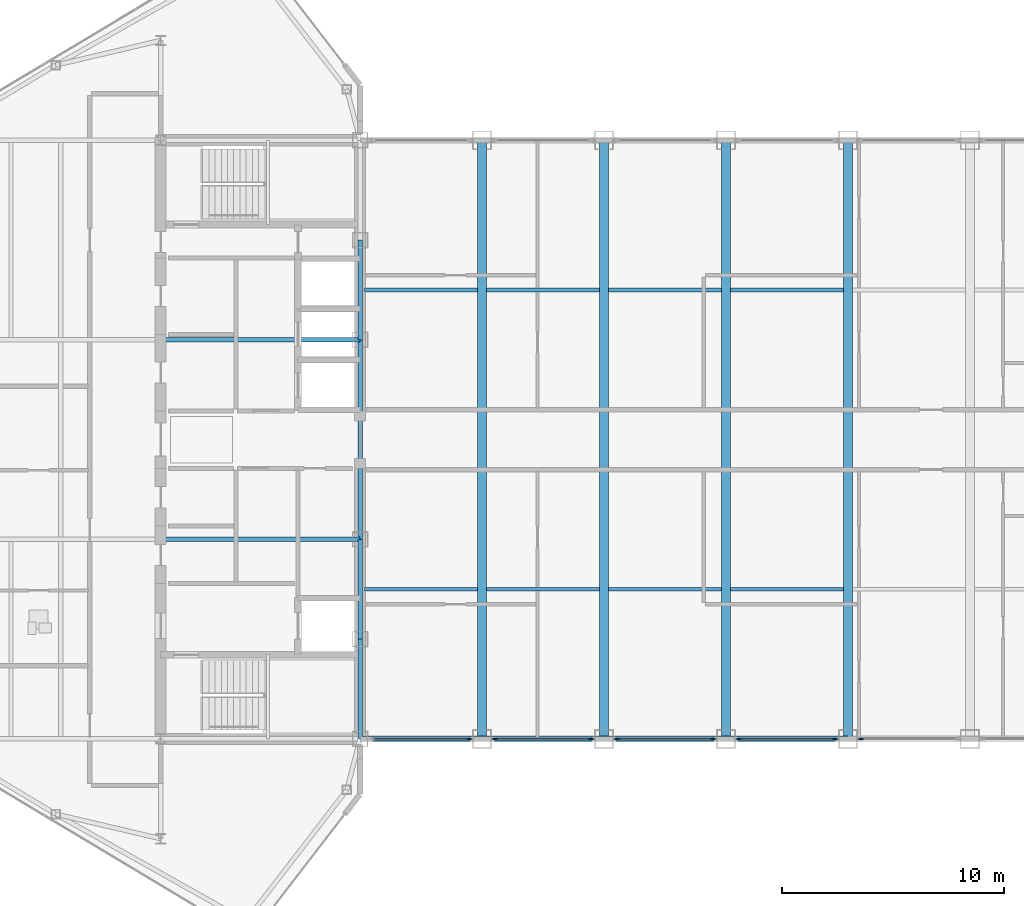
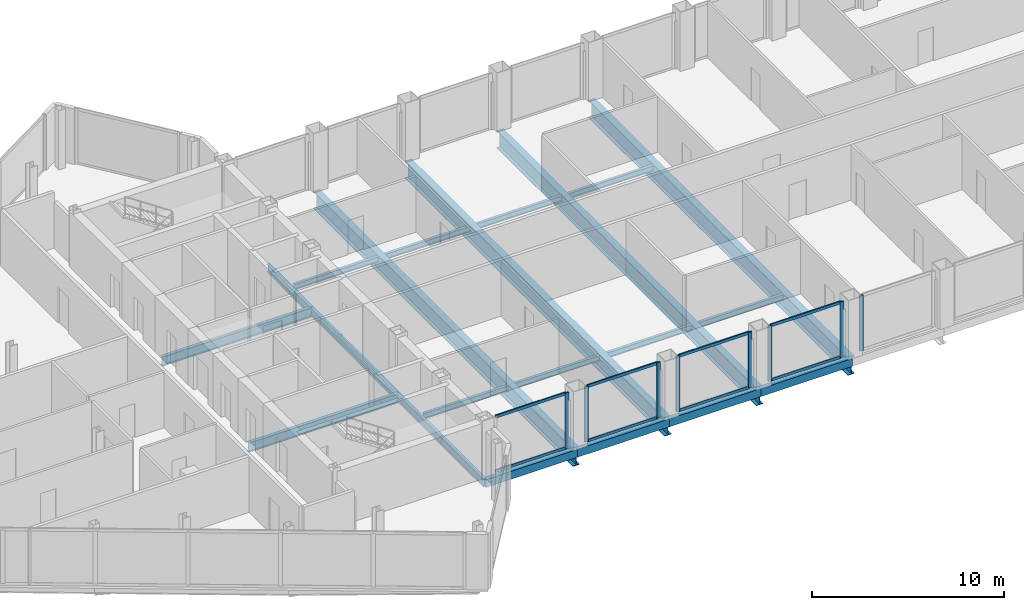
# One storey, part 10 of 29: 22 beams, 16 members, 5 elements without a shape of their own.
"""IFC4 building model written with IfcOpenShell, lengths in metres."""

import ifcopenshell
import ifcopenshell.guid

model = None  # the IFC model being written
_history = None  # IfcOwnerHistory: only IFC2X3 demands one
_inside = {}  # id of a spatial element -> (the spatial element, [elements in it])
_under = {}  # id of a project, library or spatial element -> (it, [spatial elements below it])
_declared = {}  # id of a project -> (the project, [libraries it declares])
_typed = {}  # id of a type object -> (the type object, [elements of that type])
_made_of = {}  # id of a material, layer set ... -> (it, [elements and type objects made of it])


def new_model(schema):
    """Start an empty IFC model of exactly this schema.

    Asked for "IFC4X3", IfcOpenShell would pick the latest addendum, in which some entities
    have other attributes; the version numbers below select the first issue.
    IFC2X3 requires an IfcOwnerHistory on every rooted entity: one is made here for all.
    """
    global model, _history
    if schema == "IFC4X3":
        model = ifcopenshell.file(schema_version=(4, 3, 0, 0))
    else:
        model = ifcopenshell.file(schema=schema)
    _inside.clear()
    _under.clear()
    _declared.clear()
    _typed.clear()
    _made_of.clear()
    _history = None
    if model.schema == "IFC2X3":
        org = make("IfcOrganization", Name="unknown")
        user = make(
            "IfcPersonAndOrganization",
            ThePerson=make("IfcPerson", FamilyName="unknown"),
            TheOrganization=org,
        )
        app = make(
            "IfcApplication",
            ApplicationDeveloper=org,
            Version="unknown",
            ApplicationFullName="unknown",
            ApplicationIdentifier="unknown",
        )
        _history = make(
            "IfcOwnerHistory",
            OwningUser=user,
            OwningApplication=app,
            ChangeAction="ADDED",
            CreationDate=0,
        )
    return model


def make(cls, **values):
    """One entity of the class cls with the attributes given. An attribute that is None is left unset."""
    return model.create_entity(
        cls, **{name: value for name, value in values.items() if value is not None}
    )


def rooted(cls, **values):
    """An entity with a GlobalId (a new one), such as an element, a storey or a relation."""
    return make(cls, GlobalId=ifcopenshell.guid.new(), OwnerHistory=_history, **values)


def si_unit(unit_type, name, prefix=None):
    """IfcSIUnit, for example si_unit("LENGTHUNIT", "METRE", prefix="MILLI")."""
    return make("IfcSIUnit", UnitType=unit_type, Prefix=prefix, Name=name)


def assignment(units):
    """IfcUnitAssignment: the units of a project."""
    return None if units is None else make("IfcUnitAssignment", Units=units)


def point(xyz):
    """IfcCartesianPoint."""
    return None if xyz is None else make("IfcCartesianPoint", Coordinates=xyz)


def direction(xyz):
    """IfcDirection."""
    return None if xyz is None else make("IfcDirection", DirectionRatios=xyz)


def frame(location, z_axis=None, x_axis=None):
    """IfcAxis2Placement3D, a coordinate frame: its origin and axes. An axis left out is left unset."""
    return make(
        "IfcAxis2Placement3D",
        Location=point(location),
        Axis=direction(z_axis),
        RefDirection=direction(x_axis),
    )


def frame_2d(location, x_axis=None):
    """IfcAxis2Placement2D, a coordinate frame in the plane: its origin and x axis."""
    return make(
        "IfcAxis2Placement2D", Location=point(location), RefDirection=direction(x_axis)
    )


def origin():
    """The frame at (0, 0, 0) with its axes left unset."""
    return frame((0.0, 0.0, 0.0))


def origin_2d():
    """The frame at (0, 0) in the plane with its x axis left unset."""
    return frame_2d((0.0, 0.0))


def place(relative_to, where):
    """IfcLocalPlacement: puts the frame where relative to a parent placement (None: the world)."""
    return make(
        "IfcLocalPlacement", PlacementRelTo=relative_to, RelativePlacement=where
    )


def context(
    kind, dimensions, precision=None, world=None, true_north=None, identifier=None
):
    """IfcGeometricRepresentationContext, for example the 3D "Model" context."""
    return make(
        "IfcGeometricRepresentationContext",
        ContextIdentifier=identifier,
        ContextType=kind,
        CoordinateSpaceDimension=dimensions,
        Precision=precision,
        WorldCoordinateSystem=world,
        TrueNorth=true_north,
    )


def subcontext(parent, identifier, kind, view, scale=None):
    """IfcGeometricRepresentationSubContext, for example "Body" below "Model"."""
    return make(
        "IfcGeometricRepresentationSubContext",
        ContextIdentifier=identifier,
        ContextType=kind,
        ParentContext=parent,
        TargetScale=scale,
        TargetView=view,
    )


def project(units=None, contexts=None):
    """IfcProject with its units and contexts."""
    return rooted(
        "IfcProject",
        Name="project",
        RepresentationContexts=contexts,
        UnitsInContext=assignment(units),
    )


def spatial(cls, under=None, at=None, **own):
    """A site, building, storey or space (cls), placed at a placement, below another one or the project."""
    s = rooted(cls, ObjectPlacement=at, **own)
    if under is not None:
        _under.setdefault(under.id(), (under, []))[1].append(s)
    return s


def profile(cls, at=None, kind="AREA", **sizes):
    """A parametric profile (cls). Its sizes go by their IFC names, for example OverallWidth=200.0."""
    return make(cls, ProfileType=kind, Position=at, **sizes)


def rectangle(**sizes):
    """IfcRectangleProfileDef."""
    return profile("IfcRectangleProfileDef", **sizes)


def hollow_rectangle(**sizes):
    """IfcRectangleHollowProfileDef."""
    return profile("IfcRectangleHollowProfileDef", **sizes)


def i_section(**sizes):
    """IfcIShapeProfileDef."""
    return profile("IfcIShapeProfileDef", **sizes)


def extrude(swept, where, along, depth):
    """IfcExtrudedAreaSolid: the profile swept, set in the frame where, extruded along a direction by depth."""
    return make(
        "IfcExtrudedAreaSolid",
        SweptArea=swept,
        Position=where,
        ExtrudedDirection=direction(along),
        Depth=depth,
    )


def shape(context_of_items, identifier, shape_type, items):
    """IfcShapeRepresentation: the items that make up one representation, for example the "Body"."""
    return make(
        "IfcShapeRepresentation",
        ContextOfItems=context_of_items,
        RepresentationIdentifier=identifier,
        RepresentationType=shape_type,
        Items=items,
    )


def source(mapping_origin, context_of_items, identifier, shape_type, items):
    """IfcRepresentationMap: a shape defined once, which mapped items show again and again."""
    return make(
        "IfcRepresentationMap",
        MappingOrigin=mapping_origin,
        MappedRepresentation=shape(context_of_items, identifier, shape_type, items),
    )


def transform(
    local_origin,
    x_axis=None,
    y_axis=None,
    z_axis=None,
    scale=None,
    scale2=None,
    scale3=None,
    uniform=True,
):
    """IfcCartesianTransformationOperator3D, or its non-uniform kind. x_axis, y_axis, z_axis: its Axis1, 2, 3."""
    if uniform:
        return make(
            "IfcCartesianTransformationOperator3D",
            Axis1=direction(x_axis),
            Axis2=direction(y_axis),
            LocalOrigin=point(local_origin),
            Scale=scale,
            Axis3=direction(z_axis),
        )
    return make(
        "IfcCartesianTransformationOperator3DnonUniform",
        Axis1=direction(x_axis),
        Axis2=direction(y_axis),
        LocalOrigin=point(local_origin),
        Scale=scale,
        Axis3=direction(z_axis),
        Scale2=scale2,
        Scale3=scale3,
    )


def mapped(mapping_source, mapping_target):
    """IfcMappedItem: shows the shape of a source again, moved by a transform."""
    return make(
        "IfcMappedItem", MappingSource=mapping_source, MappingTarget=mapping_target
    )


def material(Name=None, Category=None):
    """IfcMaterial."""
    return make("IfcMaterial", Name=Name, Category=Category)


def layer(
    of_material, thickness, ventilated=None, Name=None, Category=None, Priority=None
):
    """IfcMaterialLayer: one layer of a wall or slab, of a material (None: an air gap)."""
    return make(
        "IfcMaterialLayer",
        Material=of_material,
        LayerThickness=thickness,
        IsVentilated=ventilated,
        Name=Name,
        Category=Category,
        Priority=Priority,
    )


def layer_set(layers, Name=None):
    """IfcMaterialLayerSet."""
    return make("IfcMaterialLayerSet", MaterialLayers=layers, LayerSetName=Name)


def material_profile(
    of_material, cross_section, Name=None, Category=None, Priority=None
):
    """IfcMaterialProfile: a cross section and its material."""
    return make(
        "IfcMaterialProfile",
        Name=Name,
        Material=of_material,
        Profile=cross_section,
        Priority=Priority,
        Category=Category,
    )


def profile_set(profiles, Name=None, composite=None):
    """IfcMaterialProfileSet."""
    return make(
        "IfcMaterialProfileSet",
        Name=Name,
        MaterialProfiles=profiles,
        CompositeProfile=composite,
    )


def made_of(thing, what):
    """Note that an element or type object is made of a material, layer set ...; save() writes the relation."""
    if what is not None:
        _made_of.setdefault(what.id(), (what, []))[1].append(thing)
    return thing


def type_object(cls, material=None, **own):
    """A type object (cls), such as IfcWallType, which elements share."""
    return made_of(rooted(cls, **own), material)


def type_shapes(of_type, sources):
    """Give a type object the sources (RepresentationMaps) that its elements show as mapped items."""
    of_type.RepresentationMaps = sources


def element(
    cls,
    number,
    at=None,
    inside=None,
    cuts=None,
    type_object=None,
    material=None,
    context=None,
    identifier="Body",
    shape_type=None,
    held_by="IfcProductDefinitionShape",
    body=None,
    shapes=None,
    **own,
):
    """One element of the class cls, such as IfcWall. Its Tag is "e" and its number.

    at: its placement. inside: the storey or other place that contains it. cuts: it is an
    opening in that element (IfcRelVoidsElement). A single representation is given by context,
    identifier, shape_type and body (its items); several are given by shapes. held_by: the class
    of the entity that holds the representations. save() writes the other relations.
    """
    e = rooted(cls, Tag="e%d" % number, ObjectPlacement=at, **own)
    if body is not None:
        shapes = [shape(context, identifier, shape_type, body)]
    if shapes is not None:
        e.Representation = make(held_by, Representations=shapes)
    if inside is not None:
        _inside.setdefault(inside.id(), (inside, []))[1].append(e)
    if cuts is not None:
        rooted(
            "IfcRelVoidsElement", RelatingBuildingElement=cuts, RelatedOpeningElement=e
        )
    if type_object is not None:
        _typed.setdefault(type_object.id(), (type_object, []))[1].append(e)
    return made_of(e, material)


def aggregate(whole, parts):
    """IfcRelAggregates: a whole, such as a stair, and the parts it consists of."""
    return rooted("IfcRelAggregates", RelatingObject=whole, RelatedObjects=parts)


def save(model, path):
    """Write the relations noted so far, then the file.

    IfcRelAggregates (storeys below a building ...), IfcRelContainedInSpatialStructure (elements
    in a storey), IfcRelDefinesByType, IfcRelAssociatesMaterial and IfcRelDeclares: one each for
    every whole, place, type object, material and project.
    """
    for whole, parts in _under.values():
        aggregate(whole, parts)
    for where, things in _inside.values():
        rooted(
            "IfcRelContainedInSpatialStructure",
            RelatedElements=things,
            RelatingStructure=where,
        )
    for kind, things in _typed.values():
        rooted("IfcRelDefinesByType", RelatedObjects=things, RelatingType=kind)
    for what, things in _made_of.values():
        rooted("IfcRelAssociatesMaterial", RelatedObjects=things, RelatingMaterial=what)
    for by, libraries in _declared.values():
        rooted("IfcRelDeclares", RelatingContext=by, RelatedDefinitions=libraries)
    model.write(path)


model = new_model("IFC4")

# Units and contexts
model_context = context("Model", 3, precision=1e-05, world=origin(), true_north=direction((0.0, 1.0)))
body_context = subcontext(model_context, "Body", "Model", "MODEL_VIEW")
ifc_project = project(units=[si_unit("LENGTHUNIT", "METRE"), si_unit("AREAUNIT", "SQUARE_METRE"), si_unit("VOLUMEUNIT", "CUBIC_METRE"), si_unit("PLANEANGLEUNIT", "RADIAN"), si_unit("MASSUNIT", "GRAM", prefix="KILO")], contexts=[model_context])

# Site, building, storey
site_placement = place(None, origin())
site = spatial("IfcSite", under=ifc_project, at=site_placement, CompositionType="ELEMENT")
building_placement = place(site_placement, origin())
building = spatial("IfcBuilding", under=site, at=building_placement, Name="Seokmaru Belvedere", CompositionType="ELEMENT")
storey_placement = place(building_placement, frame((0.0, 0.0, 254.39990234375)))
storey = spatial("IfcBuildingStorey", under=building, at=storey_placement, Name="L67", CompositionType="ELEMENT", Elevation=254.39990234375)

# Beams
ifc_material_1 = material(Name="Steel SM355 (355 MPa)", Category="steel")
ifc_material_profile_1 = material_profile(ifc_material_1, i_section(OverallWidth=0.199951171875, OverallDepth=0.5, WebThickness=0.010009765625, FlangeThickness=0.01611328125, at=origin_2d()), Name="H-500x200x10x16")
ifc_profile_set_1 = profile_set([ifc_material_profile_1], Name="Steel SM355 (355 MPa)")
beam_type_1 = type_object("IfcBeamType", Name="Perimeter Spandrel Beam H-500", PredefinedType="SPANDREL", material=ifc_profile_set_1)
shared_shape_1 = source(origin(), body_context, "Body", "SweptSolid", [
    extrude(i_section(OverallWidth=0.199951171875, OverallDepth=0.5, WebThickness=0.010009765625, FlangeThickness=0.01611328125, at=origin_2d()), origin(), (0.0, 0.0, 1.0), 4.5),
])
for number, where, z_axis, x_axis, name in (
    (1, (-27.5, -13.5, -0.469970703125), (0.0, 1.0, 0.0), (-1.0, 0.0, 0.0), "L67 W Portal Spine Spandrel 1"),
    (2, (-27.5, -9.0, -0.469970703125), (0.0, 1.0, 0.0), (-1.0, 0.0, 0.0), "L67 W Portal Spine Spandrel 2"),
    (3, (-27.5, 4.5, -0.469970703125), (0.0, 1.0, 0.0), (-1.0, 0.0, 0.0), "L67 W Portal Spine Spandrel 4"),
):
    element("IfcBeam", number, at=place(storey_placement, frame(where, z_axis=z_axis, x_axis=x_axis)), inside=storey, type_object=beam_type_1, Name=name, PredefinedType="SPANDREL", context=body_context, shape_type="MappedRepresentation", body=[
        mapped(shared_shape_1, transform((0.0, 0.0, 0.0), scale=1.0)),
    ])
shared_shape_2 = source(origin(), body_context, "Body", "SweptSolid", [
    extrude(i_section(OverallWidth=0.199951171875, OverallDepth=0.5, WebThickness=0.010009765625, FlangeThickness=0.01611328125, at=origin_2d()), origin(), (0.0, 0.0, 1.0), 9.0),
])
type_shapes(beam_type_1, [shared_shape_1, shared_shape_2])
beam_placement = place(storey_placement, frame((-27.5, -4.5, -0.469970703125), z_axis=(0.0, 1.0, 0.0), x_axis=(-1.0, 0.0, 0.0)))
element("IfcBeam", 4, at=beam_placement, inside=storey, type_object=beam_type_1, Name="L67 W Portal Spine Spandrel 3", PredefinedType="SPANDREL", context=body_context, shape_type="MappedRepresentation", body=[
    mapped(shared_shape_2, transform((0.0, 0.0, 0.0), scale=1.0)),
])
ifc_material_profile_2 = material_profile(ifc_material_1, i_section(OverallWidth=0.199951171875, OverallDepth=0.60009765625, WebThickness=0.010986328125, FlangeThickness=0.01708984375, at=origin_2d()), Name="H-600x200x11x17")
ifc_profile_set_2 = profile_set([ifc_material_profile_2], Name="Steel SM355 (355 MPa)")
beam_type_2 = type_object("IfcBeamType", Name="Primary Floor Girder H-600", PredefinedType="BEAM", material=ifc_profile_set_2)
shared_shape_3 = source(origin(), body_context, "Body", "SweptSolid", [
    extrude(i_section(OverallWidth=0.199951171875, OverallDepth=0.60009765625, WebThickness=0.010986328125, FlangeThickness=0.01708984375, at=origin_2d()), origin(), (0.0, 0.0, 1.0), 9.0),
])
type_shapes(beam_type_2, [shared_shape_3])
for number, where, z_axis, x_axis, name in (
    (5, (-36.5, -4.5, -0.52001953125), (1.0, 0.0, 0.0), (0.0, 1.0, 0.0), "L67 W Core Tie Girder 2"),
    (6, (-36.5, 4.5, -0.52001953125), (1.0, 0.0, 0.0), (0.0, 1.0, 0.0), "L67 W Core Tie Girder 3"),
):
    element("IfcBeam", number, at=place(storey_placement, frame(where, z_axis=z_axis, x_axis=x_axis)), inside=storey, type_object=beam_type_2, Name=name, PredefinedType="BEAM", context=body_context, shape_type="MappedRepresentation", body=[
        mapped(shared_shape_3, transform((0.0, 0.0, 0.0), scale=1.0)),
    ])
ifc_material_profile_3 = material_profile(ifc_material_1, i_section(OverallWidth=0.39990234375, OverallDepth=1.10009765625, WebThickness=0.02001953125, FlangeThickness=0.033935546875, at=origin_2d()), Name="BH-1100x400x20x34")
ifc_profile_set_3 = profile_set([ifc_material_profile_3], Name="Steel SM355 (355 MPa)")
beam_type_3 = type_object("IfcBeamType", Name="Sky-Gate Transverse Girder BH-1100", PredefinedType="BEAM", material=ifc_profile_set_3)
shared_shape_4 = source(origin(), body_context, "Body", "SweptSolid", [
    extrude(i_section(OverallWidth=0.39990234375, OverallDepth=1.10009765625, WebThickness=0.02001953125, FlangeThickness=0.033935546875, at=origin_2d()), origin(), (0.0, 0.0, 1.0), 27.0),
])
type_shapes(beam_type_3, [shared_shape_4])
for number, where, z_axis, x_axis, name in (
    (7, (-22.0, -13.5, -0.77001953125), (0.0, 1.0, 0.0), (-1.0, 0.0, 0.0), "L67 Sky-Gate Transverse Girder 01"),
    (8, (-16.5, -13.5, -0.77001953125), (0.0, 1.0, 0.0), (-1.0, 0.0, 0.0), "L67 Sky-Gate Transverse Girder 02"),
    (9, (-11.0, -13.5, -0.77001953125), (0.0, 1.0, 0.0), (-1.0, 0.0, 0.0), "L67 Sky-Gate Transverse Girder 03"),
    (10, (-5.5, -13.5, -0.77001953125), (0.0, 1.0, 0.0), (-1.0, 0.0, 0.0), "L67 Sky-Gate Transverse Girder 04"),
):
    element("IfcBeam", number, at=place(storey_placement, frame(where, z_axis=z_axis, x_axis=x_axis)), inside=storey, type_object=beam_type_3, Name=name, PredefinedType="BEAM", context=body_context, shape_type="MappedRepresentation", body=[
        mapped(shared_shape_4, transform((0.0, 0.0, 0.0), scale=1.0)),
    ])
ifc_material_profile_4 = material_profile(ifc_material_1, i_section(OverallWidth=0.175048828125, OverallDepth=0.35009765625, WebThickness=0.007080078125, FlangeThickness=0.010986328125, at=origin_2d()), Name="H-350x175x7x11")
ifc_profile_set_4 = profile_set([ifc_material_profile_4], Name="Steel SM355 (355 MPa)")
beam_type_4 = type_object("IfcBeamType", Name="Secondary Floor Joist H-300", PredefinedType="JOIST", material=ifc_profile_set_4)
shared_shape_5 = source(origin(), body_context, "Body", "SweptSolid", [
    extrude(i_section(OverallWidth=0.175048828125, OverallDepth=0.35009765625, WebThickness=0.007080078125, FlangeThickness=0.010986328125, at=origin_2d()), origin(), (0.0, 0.0, 1.0), 5.08984375),
])
type_shapes(beam_type_4, [shared_shape_5])
for number, where, z_axis, x_axis, name in (
    (11, (-27.294921875, -6.75, -0.39501953125), (1.0, 0.0, 0.0), (0.0, 1.0, 0.0), "L67 Sky-Gate Secondary Joist S-01"),
    (12, (-21.794921875, -6.75, -0.39501953125), (1.0, 0.0, 0.0), (0.0, 1.0, 0.0), "L67 Sky-Gate Secondary Joist S-02"),
    (13, (-16.294921875, -6.75, -0.39501953125), (1.0, 0.0, 0.0), (0.0, 1.0, 0.0), "L67 Sky-Gate Secondary Joist S-03"),
    (14, (-10.794921875, -6.75, -0.39501953125), (1.0, 0.0, 0.0), (0.0, 1.0, 0.0), "L67 Sky-Gate Secondary Joist S-04"),
    (15, (-27.294921875, 6.75, -0.39501953125), (1.0, 0.0, 0.0), (0.0, 1.0, 0.0), "L67 Sky-Gate Secondary Joist N-01"),
    (16, (-21.794921875, 6.75, -0.39501953125), (1.0, 0.0, 0.0), (0.0, 1.0, 0.0), "L67 Sky-Gate Secondary Joist N-02"),
    (17, (-16.294921875, 6.75, -0.39501953125), (1.0, 0.0, 0.0), (0.0, 1.0, 0.0), "L67 Sky-Gate Secondary Joist N-03"),
    (18, (-10.794921875, 6.75, -0.39501953125), (1.0, 0.0, 0.0), (0.0, 1.0, 0.0), "L67 Sky-Gate Secondary Joist N-04"),
):
    element("IfcBeam", number, at=place(storey_placement, frame(where, z_axis=z_axis, x_axis=x_axis)), inside=storey, type_object=beam_type_4, Name=name, PredefinedType="JOIST", context=body_context, shape_type="MappedRepresentation", body=[
        mapped(shared_shape_5, transform((0.0, 0.0, 0.0), scale=1.0)),
    ])
ifc_material_profile_5 = material_profile(ifc_material_1, hollow_rectangle(XDim=0.25, YDim=0.5, WallThickness=0.013916015625, at=origin_2d()), Name="RHS-500x250x14")
ifc_profile_set_5 = profile_set([ifc_material_profile_5], Name="Steel SM355 (355 MPa)")
beam_type_5 = type_object("IfcBeamType", Name="Bridge Edge Spandrel RHS-500", PredefinedType="SPANDREL", material=ifc_profile_set_5)
shared_shape_6 = source(origin(), body_context, "Body", "SweptSolid", [
    extrude(hollow_rectangle(XDim=0.25, YDim=0.5, WallThickness=0.013916015625, at=origin_2d()), origin(), (0.0, 0.0, 1.0), 5.5),
])
type_shapes(beam_type_5, [shared_shape_6])
for number, where, z_axis, x_axis, name in (
    (19, (-27.5, -13.5, -0.469970703125), (1.0, 0.0, 0.0), (0.0, 1.0, 0.0), "L67 Sky-Gate Bridge Edge Girder S-01"),
    (20, (-22.0, -13.5, -0.469970703125), (1.0, 0.0, 0.0), (0.0, 1.0, 0.0), "L67 Sky-Gate Bridge Edge Girder S-02"),
    (21, (-16.5, -13.5, -0.469970703125), (1.0, 0.0, 0.0), (0.0, 1.0, 0.0), "L67 Sky-Gate Bridge Edge Girder S-03"),
    (22, (-11.0, -13.5, -0.469970703125), (1.0, 0.0, 0.0), (0.0, 1.0, 0.0), "L67 Sky-Gate Bridge Edge Girder S-04"),
):
    element("IfcBeam", number, at=place(storey_placement, frame(where, z_axis=z_axis, x_axis=x_axis)), inside=storey, type_object=beam_type_5, Name=name, PredefinedType="SPANDREL", context=body_context, shape_type="MappedRepresentation", body=[
        mapped(shared_shape_6, transform((0.0, 0.0, 0.0), scale=1.0)),
    ])

# Curtain wall, members
ifc_material_2 = material(Name="Bronze Triple Insulating Glass", Category="glass")
ifc_layer = layer(ifc_material_2, 0.219970703125)
ifc_layer_set = layer_set([ifc_layer], Name="Bronze Triple Insulating Glass")
curtain_wall_type = type_object("IfcCurtainWallType", Name="Sky-Gate Bridge Panorama Curtain Wall System CW-6", PredefinedType="NOTDEFINED", material=ifc_layer_set)
curtain_wall_1_placement = place(storey_placement, origin())
curtain_wall_1 = element("IfcCurtainWall", 23, at=curtain_wall_1_placement, inside=storey, type_object=curtain_wall_type, Name="L67 Curtain Wall BR_S01", PredefinedType="NOTDEFINED")
ifc_material_3 = material(Name="Anodised Bronze Aluminium", Category="aluminium")
ifc_material_profile_6 = material_profile(ifc_material_3, rectangle(XDim=0.074951171875, YDim=0.179931640625, at=origin_2d()), Name="CW-T-75x180")
ifc_profile_set_6 = profile_set([ifc_material_profile_6], Name="Anodised Bronze Aluminium")
member_type_1 = type_object("IfcMemberType", Name="Bronze Unitised Transom 75x180", PredefinedType="USERDEFINED", material=ifc_profile_set_6)
shared_shape_7 = source(origin(), body_context, "Body", "SweptSolid", [
    extrude(rectangle(XDim=0.074951171875, YDim=0.179931640625, at=origin_2d()), origin(), (0.0, 0.0, 1.0), 4.240234375),
])
type_shapes(member_type_1, [shared_shape_7])
member_1_placement = place(storey_placement, frame((-26.8701171875, -13.5, 0.03759765625), z_axis=(1.0, 0.0, 0.0), x_axis=(0.0, 1.0, 0.0)))
member_1 = element("IfcMember", 24, at=member_1_placement, type_object=member_type_1, Name="CW:L67:BR_S01 Continuous Transom 1", ObjectType="TRANSOM", PredefinedType="USERDEFINED", context=body_context, shape_type="MappedRepresentation", body=[
    mapped(shared_shape_7, transform((0.0, 0.0, 0.0), scale=1.0)),
])
member_2_placement = place(storey_placement, frame((-26.8701171875, -13.5, 3.49267578125), z_axis=(1.0, 0.0, 0.0), x_axis=(0.0, 1.0, 0.0)))
member_2 = element("IfcMember", 25, at=member_2_placement, type_object=member_type_1, Name="CW:L67:BR_S01 Continuous Transom 2", ObjectType="TRANSOM", PredefinedType="USERDEFINED", context=body_context, shape_type="MappedRepresentation", body=[
    mapped(shared_shape_7, transform((0.0, 0.0, 0.0), scale=1.0)),
])

curtain_wall_2_placement = place(storey_placement, origin())
curtain_wall_2 = element("IfcCurtainWall", 26, at=curtain_wall_2_placement, inside=storey, type_object=curtain_wall_type, Name="L67 Curtain Wall BR_S02", PredefinedType="NOTDEFINED")
member_3_placement = place(storey_placement, frame((-21.3701171875, -13.5, 0.03759765625), z_axis=(1.0, 0.0, 0.0), x_axis=(0.0, 1.0, 0.0)))
member_3 = element("IfcMember", 27, at=member_3_placement, type_object=member_type_1, Name="CW:L67:BR_S02 Continuous Transom 1", ObjectType="TRANSOM", PredefinedType="USERDEFINED", context=body_context, shape_type="MappedRepresentation", body=[
    mapped(shared_shape_7, transform((0.0, 0.0, 0.0), scale=1.0)),
])
member_4_placement = place(storey_placement, frame((-21.3701171875, -13.5, 3.49267578125), z_axis=(1.0, 0.0, 0.0), x_axis=(0.0, 1.0, 0.0)))
member_4 = element("IfcMember", 28, at=member_4_placement, type_object=member_type_1, Name="CW:L67:BR_S02 Continuous Transom 2", ObjectType="TRANSOM", PredefinedType="USERDEFINED", context=body_context, shape_type="MappedRepresentation", body=[
    mapped(shared_shape_7, transform((0.0, 0.0, 0.0), scale=1.0)),
])

curtain_wall_3_placement = place(storey_placement, origin())
curtain_wall_3 = element("IfcCurtainWall", 29, at=curtain_wall_3_placement, inside=storey, type_object=curtain_wall_type, Name="L67 Curtain Wall BR_S03", PredefinedType="NOTDEFINED")
member_5_placement = place(storey_placement, frame((-15.8701171875, -13.5, 0.03759765625), z_axis=(1.0, 0.0, 0.0), x_axis=(0.0, 1.0, 0.0)))
member_5 = element("IfcMember", 30, at=member_5_placement, type_object=member_type_1, Name="CW:L67:BR_S03 Continuous Transom 1", ObjectType="TRANSOM", PredefinedType="USERDEFINED", context=body_context, shape_type="MappedRepresentation", body=[
    mapped(shared_shape_7, transform((0.0, 0.0, 0.0), scale=1.0)),
])
member_6_placement = place(storey_placement, frame((-15.8701171875, -13.5, 3.49267578125), z_axis=(1.0, 0.0, 0.0), x_axis=(0.0, 1.0, 0.0)))
member_6 = element("IfcMember", 31, at=member_6_placement, type_object=member_type_1, Name="CW:L67:BR_S03 Continuous Transom 2", ObjectType="TRANSOM", PredefinedType="USERDEFINED", context=body_context, shape_type="MappedRepresentation", body=[
    mapped(shared_shape_7, transform((0.0, 0.0, 0.0), scale=1.0)),
])

curtain_wall_4_placement = place(storey_placement, origin())
curtain_wall_4 = element("IfcCurtainWall", 32, at=curtain_wall_4_placement, inside=storey, type_object=curtain_wall_type, Name="L67 Curtain Wall BR_S04", PredefinedType="NOTDEFINED")
member_7_placement = place(storey_placement, frame((-10.3701171875, -13.5, 0.03759765625), z_axis=(1.0, 0.0, 0.0), x_axis=(0.0, 1.0, 0.0)))
member_7 = element("IfcMember", 33, at=member_7_placement, type_object=member_type_1, Name="CW:L67:BR_S04 Continuous Transom 1", ObjectType="TRANSOM", PredefinedType="USERDEFINED", context=body_context, shape_type="MappedRepresentation", body=[
    mapped(shared_shape_7, transform((0.0, 0.0, 0.0), scale=1.0)),
])
member_8_placement = place(storey_placement, frame((-10.3701171875, -13.5, 3.49267578125), z_axis=(1.0, 0.0, 0.0), x_axis=(0.0, 1.0, 0.0)))
member_8 = element("IfcMember", 34, at=member_8_placement, type_object=member_type_1, Name="CW:L67:BR_S04 Continuous Transom 2", ObjectType="TRANSOM", PredefinedType="USERDEFINED", context=body_context, shape_type="MappedRepresentation", body=[
    mapped(shared_shape_7, transform((0.0, 0.0, 0.0), scale=1.0)),
])

# Member
ifc_material_profile_7 = material_profile(ifc_material_3, rectangle(XDim=0.080078125, YDim=0.219970703125, at=origin_2d()), Name="CW-M-80x220")
ifc_profile_set_7 = profile_set([ifc_material_profile_7], Name="Anodised Bronze Aluminium")
member_type_2 = type_object("IfcMemberType", Name="Bronze Unitised Mullion 80x220", PredefinedType="MULLION", material=ifc_profile_set_7)
shared_shape_8 = source(origin(), body_context, "Body", "SweptSolid", [
    extrude(rectangle(XDim=0.080078125, YDim=0.219970703125, at=origin_2d()), origin(), (0.0, 0.0, 1.0), 3.530029296875),
])
type_shapes(member_type_2, [shared_shape_8])
member_9_placement = place(storey_placement, frame((-22.590087890625, -13.5, 0.0), z_axis=(0.0, 0.0, 1.0), x_axis=(0.0, 1.0, 0.0)))
member_9 = element("IfcMember", 35, at=member_9_placement, type_object=member_type_2, Name="CW:L67:BR_S01 Mullion 2", PredefinedType="MULLION", context=body_context, shape_type="MappedRepresentation", body=[
    mapped(shared_shape_8, transform((0.0, 0.0, 0.0), scale=1.0)),
])

aggregate(curtain_wall_1, [member_9, member_1, member_2])

member_10_placement = place(storey_placement, frame((-21.409912109375, -13.5, 0.0), z_axis=(0.0, 0.0, 1.0), x_axis=(0.0, 1.0, 0.0)))
member_10 = element("IfcMember", 36, at=member_10_placement, type_object=member_type_2, Name="CW:L67:BR_S02 Mullion 1", PredefinedType="MULLION", context=body_context, shape_type="MappedRepresentation", body=[
    mapped(shared_shape_8, transform((0.0, 0.0, 0.0), scale=1.0)),
])

member_11_placement = place(storey_placement, frame((-17.090087890625, -13.5, 0.0), z_axis=(0.0, 0.0, 1.0), x_axis=(0.0, 1.0, 0.0)))
member_11 = element("IfcMember", 37, at=member_11_placement, type_object=member_type_2, Name="CW:L67:BR_S02 Mullion 2", PredefinedType="MULLION", context=body_context, shape_type="MappedRepresentation", body=[
    mapped(shared_shape_8, transform((0.0, 0.0, 0.0), scale=1.0)),
])

aggregate(curtain_wall_2, [member_10, member_11, member_3, member_4])

member_12_placement = place(storey_placement, frame((-15.909912109375, -13.5, 0.0), z_axis=(0.0, 0.0, 1.0), x_axis=(0.0, 1.0, 0.0)))
member_12 = element("IfcMember", 38, at=member_12_placement, type_object=member_type_2, Name="CW:L67:BR_S03 Mullion 1", PredefinedType="MULLION", context=body_context, shape_type="MappedRepresentation", body=[
    mapped(shared_shape_8, transform((0.0, 0.0, 0.0), scale=1.0)),
])

member_13_placement = place(storey_placement, frame((-11.590087890625, -13.5, 0.0), z_axis=(0.0, 0.0, 1.0), x_axis=(0.0, 1.0, 0.0)))
member_13 = element("IfcMember", 39, at=member_13_placement, type_object=member_type_2, Name="CW:L67:BR_S03 Mullion 2", PredefinedType="MULLION", context=body_context, shape_type="MappedRepresentation", body=[
    mapped(shared_shape_8, transform((0.0, 0.0, 0.0), scale=1.0)),
])

aggregate(curtain_wall_3, [member_12, member_13, member_5, member_6])

member_14_placement = place(storey_placement, frame((-10.409912109375, -13.5, 0.0), z_axis=(0.0, 0.0, 1.0), x_axis=(0.0, 1.0, 0.0)))
member_14 = element("IfcMember", 40, at=member_14_placement, type_object=member_type_2, Name="CW:L67:BR_S04 Mullion 1", PredefinedType="MULLION", context=body_context, shape_type="MappedRepresentation", body=[
    mapped(shared_shape_8, transform((0.0, 0.0, 0.0), scale=1.0)),
])

member_15_placement = place(storey_placement, frame((-6.090087890625, -13.5, 0.0), z_axis=(0.0, 0.0, 1.0), x_axis=(0.0, 1.0, 0.0)))
member_15 = element("IfcMember", 41, at=member_15_placement, type_object=member_type_2, Name="CW:L67:BR_S04 Mullion 2", PredefinedType="MULLION", context=body_context, shape_type="MappedRepresentation", body=[
    mapped(shared_shape_8, transform((0.0, 0.0, 0.0), scale=1.0)),
])

aggregate(curtain_wall_4, [member_14, member_15, member_7, member_8])

# Curtain wall, member
curtain_wall_5_placement = place(storey_placement, origin())
curtain_wall_5 = element("IfcCurtainWall", 42, at=curtain_wall_5_placement, inside=storey, type_object=curtain_wall_type, Name="L67 Curtain Wall BR_S05", PredefinedType="NOTDEFINED")
member_16_placement = place(storey_placement, frame((-4.909912109375, -13.5, 0.0), z_axis=(0.0, 0.0, 1.0), x_axis=(0.0, 1.0, 0.0)))
member_16 = element("IfcMember", 43, at=member_16_placement, type_object=member_type_2, Name="CW:L67:BR_S05 Mullion 1", PredefinedType="MULLION", context=body_context, shape_type="MappedRepresentation", body=[
    mapped(shared_shape_8, transform((0.0, 0.0, 0.0), scale=1.0)),
])
aggregate(curtain_wall_5, [member_16])

save(model, "model.ifc")
